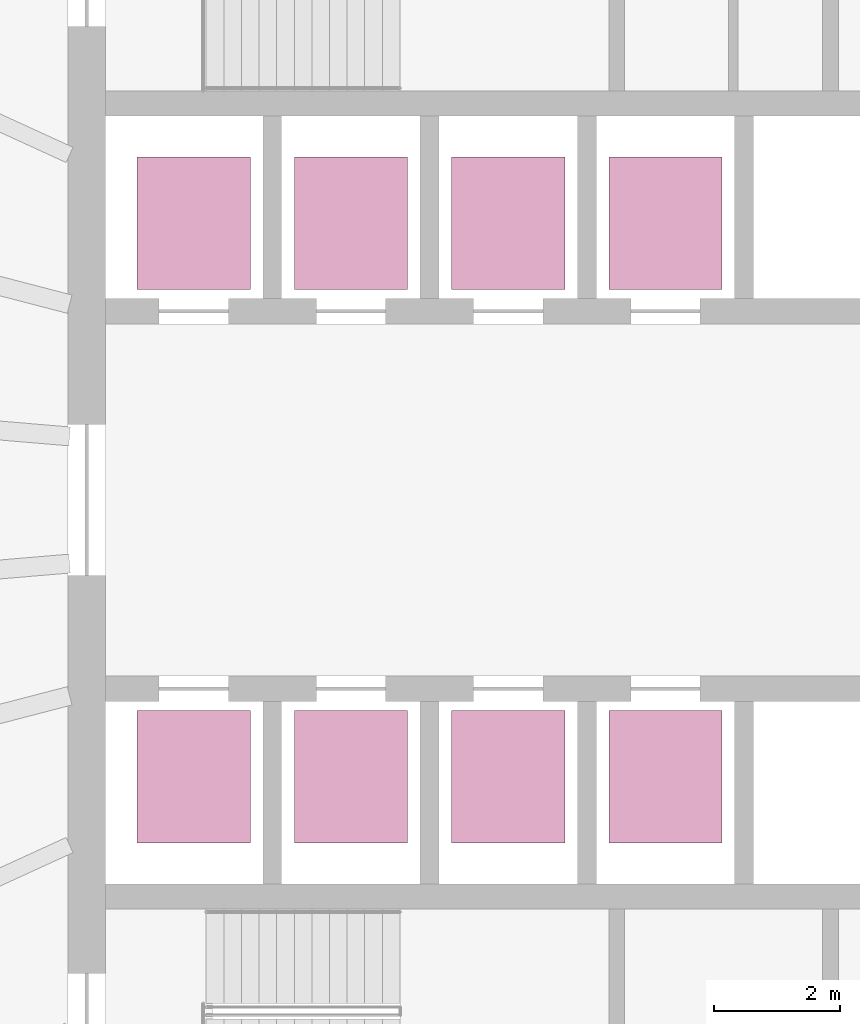
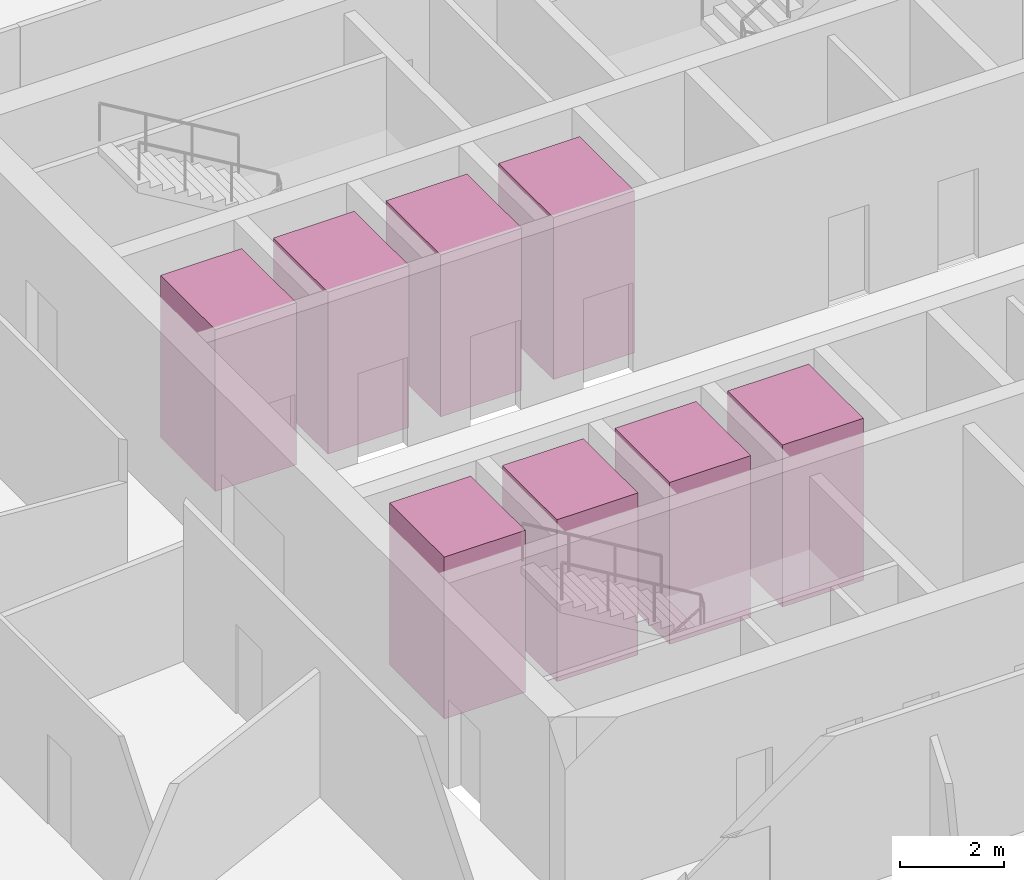
# One storey, part 10 of 10: 8 transport elements.
"""IFC4 building model written with IfcOpenShell, lengths in metres."""

from ifc_helpers import new_model, si_unit, direction, frame, origin, origin_2d, place, context, subcontext, project, spatial, rectangle, extrude, material, type_object, element, save


model = new_model("IFC4")

# Units and contexts
model_context = context("Model", 3, precision=1e-05, world=origin(), true_north=direction((0.0, 1.0)))
body_context = subcontext(model_context, "Body", "Model", "MODEL_VIEW")
ifc_project = project(units=[si_unit("LENGTHUNIT", "METRE"), si_unit("AREAUNIT", "SQUARE_METRE"), si_unit("VOLUMEUNIT", "CUBIC_METRE"), si_unit("PLANEANGLEUNIT", "RADIAN"), si_unit("MASSUNIT", "GRAM", prefix="KILO")], contexts=[model_context])

# Site, building, storey
site_placement = place(None, origin())
site = spatial("IfcSite", under=ifc_project, at=site_placement, CompositionType="ELEMENT")
building_placement = place(site_placement, origin())
building = spatial("IfcBuilding", under=site, at=building_placement, Name="Halqa Exchange Tower", CompositionType="ELEMENT")
storey_placement = place(building_placement, frame((0.0, 0.0, 206.89990234375)))
storey = spatial("IfcBuildingStorey", under=building, at=storey_placement, Name="L47", CompositionType="ELEMENT", Elevation=206.89990234375)

# Transport elements
ifc_material = material(Name="Stainless steel", Category="steel")
transport_element_type_1 = type_object("IfcTransportElementType", Name="High-rise passenger lift 1800 x 2100", PredefinedType="ELEVATOR", material=ifc_material)
for number, where, z_axis, x_axis, name in (
    (1, (-10.0, 4.39990234375, 0.0), (0.0, 0.0, 1.0), (1.0, 0.0, 0.0), "High-rise passenger lift HR1"),
    (2, (-7.5, 4.39990234375, 0.0), (0.0, 0.0, 1.0), (1.0, 0.0, 0.0), "High-rise passenger lift HR2"),
    (3, (-10.0, -4.39990234375, 0.0), (0.0, 0.0, 1.0), (1.0, 0.0, 0.0), "High-rise passenger lift HR3"),
    (4, (-7.5, -4.39990234375, 0.0), (0.0, 0.0, 1.0), (1.0, 0.0, 0.0), "High-rise passenger lift HR4"),
):
    element("IfcTransportElement", number, at=place(storey_placement, frame(where, z_axis=z_axis, x_axis=x_axis)), inside=storey, type_object=transport_element_type_1, Name=name, PredefinedType="ELEVATOR", context=body_context, shape_type="SweptSolid", body=[
        extrude(rectangle(XDim=1.800048828125, YDim=2.10009765625, at=origin_2d()), origin(), (0.0, 0.0, 1.0), 3.800048828125),
    ])
transport_element_type_2 = type_object("IfcTransportElementType", Name="Mid-rise passenger lift 1800 x 2100", PredefinedType="ELEVATOR", material=ifc_material)
for number, where, z_axis, x_axis, name in (
    (5, (-5.0, 4.39990234375, 0.0), (0.0, 0.0, 1.0), (1.0, 0.0, 0.0), "Mid-rise passenger lift MR1"),
    (6, (-2.5, 4.39990234375, 0.0), (0.0, 0.0, 1.0), (1.0, 0.0, 0.0), "Mid-rise passenger lift MR2"),
    (7, (-5.0, -4.39990234375, 0.0), (0.0, 0.0, 1.0), (1.0, 0.0, 0.0), "Mid-rise passenger lift MR3"),
    (8, (-2.5, -4.39990234375, 0.0), (0.0, 0.0, 1.0), (1.0, 0.0, 0.0), "Mid-rise passenger lift MR4"),
):
    element("IfcTransportElement", number, at=place(storey_placement, frame(where, z_axis=z_axis, x_axis=x_axis)), inside=storey, type_object=transport_element_type_2, Name=name, PredefinedType="ELEVATOR", context=body_context, shape_type="SweptSolid", body=[
        extrude(rectangle(XDim=1.800048828125, YDim=2.10009765625, at=origin_2d()), origin(), (0.0, 0.0, 1.0), 3.800048828125),
    ])

save(model, "model.ifc")
